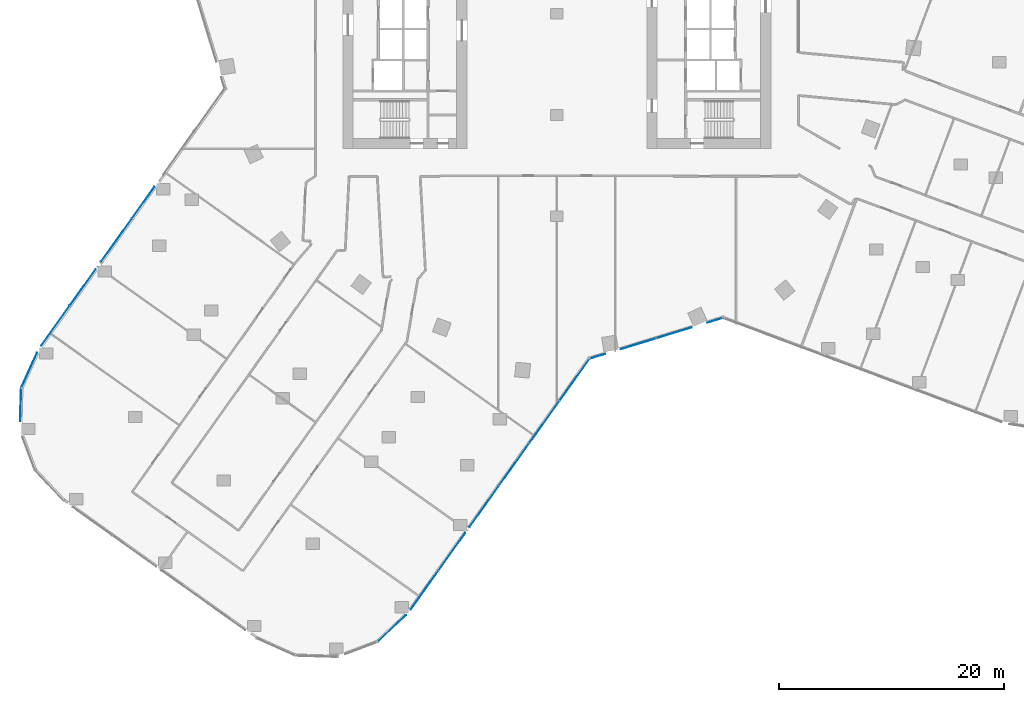
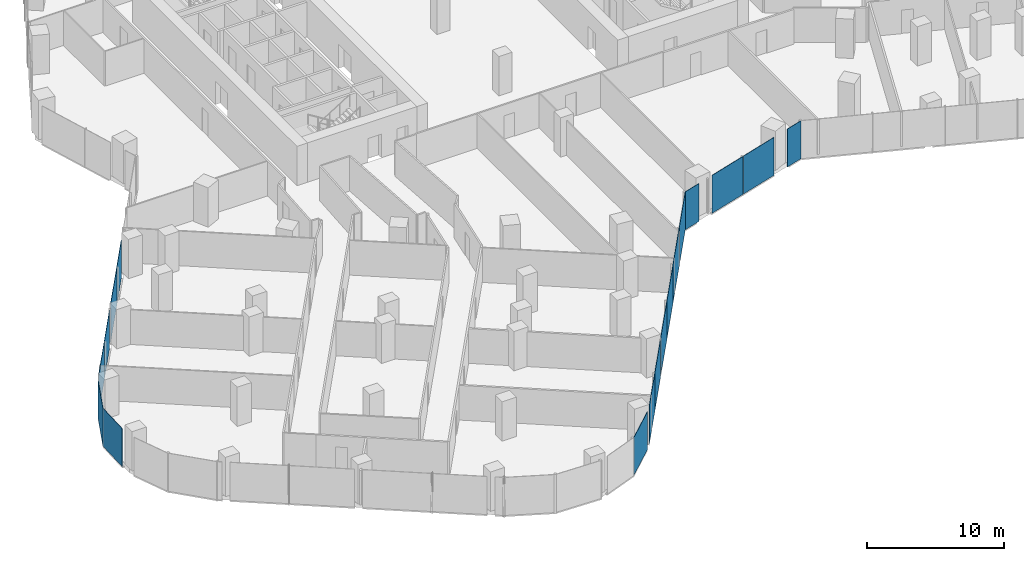
# One storey, part 17 of 31: 17 plates, 6 elements without a shape of their own.
"""IFC4 building model written with IfcOpenShell, lengths in metres."""

from ifc_helpers import new_model, si_unit, direction, frame, origin, origin_2d, place, context, subcontext, project, spatial, rectangle, extrude, material, layer, layer_set, type_object, element, aggregate, save


model = new_model("IFC4")

# Units and contexts
model_context = context("Model", 3, precision=1e-05, world=origin(), true_north=direction((0.0, 1.0)))
body_context = subcontext(model_context, "Body", "Model", "MODEL_VIEW")
ifc_project = project(units=[si_unit("LENGTHUNIT", "METRE"), si_unit("AREAUNIT", "SQUARE_METRE"), si_unit("VOLUMEUNIT", "CUBIC_METRE"), si_unit("PLANEANGLEUNIT", "RADIAN"), si_unit("MASSUNIT", "GRAM", prefix="KILO")], contexts=[model_context])

# Site, building, storey
site_placement = place(None, origin())
site = spatial("IfcSite", under=ifc_project, at=site_placement, CompositionType="ELEMENT")
building_placement = place(site_placement, origin())
building = spatial("IfcBuilding", under=site, at=building_placement, Name="Orlundy Tower", CompositionType="ELEMENT")
storey_placement = place(building_placement, frame((0.0, 0.0, 87.699951171875)))
storey = spatial("IfcBuildingStorey", under=building, at=storey_placement, Name="L21", CompositionType="ELEMENT", Elevation=87.699951171875)

# Curtain wall, plates
ifc_material_1 = material(Name="Aluminium bronze anodised", Category="aluminium")
curtain_wall_type = type_object("IfcCurtainWallType", Name="CW1 wall", PredefinedType="NOTDEFINED", material=ifc_material_1)
curtain_wall_1_placement = place(storey_placement, origin())
curtain_wall_1 = element("IfcCurtainWall", 1, at=curtain_wall_1_placement, inside=storey, type_object=curtain_wall_type, Name="CW1 run 00", PredefinedType="NOTDEFINED")
ifc_material_2 = material(Name="Tinted glass", Category="glass")
ifc_layer = layer(ifc_material_2, 0.031982421875)
ifc_layer_set = layer_set([ifc_layer], Name="CW1 glass panel 32")
plate_type = type_object("IfcPlateType", Name="CW1 glass panel 32", PredefinedType="CURTAIN_PANEL", material=ifc_layer_set)
plate_1_placement = place(storey_placement, frame((-44.547119140625, -27.729736328125, -0.27978515625), z_axis=(0.0, 0.0, 1.0), x_axis=(0.580700988829, 0.814116921316, 0.0)))
plate_1 = element("IfcPlate", 2, at=plate_1_placement, type_object=plate_type, Name="CW1 panel", PredefinedType="CURTAIN_PANEL", context=body_context, shape_type="SweptSolid", body=[
    extrude(rectangle(XDim=4.3486328125, YDim=0.031982421875, at=origin_2d()), origin(), (0.0, 0.0, 1.0), 3.3798828125),
])
plate_2_placement = place(storey_placement, frame((-42.10986328125, -24.312744140625, -0.27978515625), z_axis=(0.0, 0.0, 1.0), x_axis=(0.580700988829, 0.814116921316, 0.0)))
plate_2 = element("IfcPlate", 3, at=plate_2_placement, type_object=plate_type, Name="CW1 panel", PredefinedType="CURTAIN_PANEL", context=body_context, shape_type="SweptSolid", body=[
    extrude(rectangle(XDim=3.946044921875, YDim=0.031982421875, at=origin_2d()), origin(), (0.0, 0.0, 1.0), 3.3798828125),
])
plate_3_placement = place(storey_placement, frame((-39.127685546875, -20.132080078125, -0.27978515625), z_axis=(0.0, 0.0, 1.0), x_axis=(0.580700988829, 0.814116921316, 0.0)))
plate_3 = element("IfcPlate", 4, at=plate_3_placement, type_object=plate_type, Name="CW1 panel", PredefinedType="CURTAIN_PANEL", context=body_context, shape_type="SweptSolid", body=[
    extrude(rectangle(XDim=4.70556640625, YDim=0.031982421875, at=origin_2d()), origin(), (0.0, 0.0, 1.0), 3.3798828125),
])
plate_4_placement = place(storey_placement, frame((-36.74462890625, -16.791015625, -0.27978515625), z_axis=(0.0, 0.0, 1.0), x_axis=(0.580700988829, 0.814116921316, 0.0)))
plate_4 = element("IfcPlate", 5, at=plate_4_placement, type_object=plate_type, Name="CW1 panel", PredefinedType="CURTAIN_PANEL", context=body_context, shape_type="SweptSolid", body=[
    extrude(rectangle(XDim=3.40185546875, YDim=0.031982421875, at=origin_2d()), origin(), (0.0, 0.0, 1.0), 3.3798828125),
])
aggregate(curtain_wall_1, [plate_1, plate_2, plate_3, plate_4])

curtain_wall_2_placement = place(storey_placement, origin())
curtain_wall_2 = element("IfcCurtainWall", 6, at=curtain_wall_2_placement, inside=storey, type_object=curtain_wall_type, Name="CW1 run 017", PredefinedType="NOTDEFINED")
plate_5_placement = place(storey_placement, frame((14.0458984375, -27.248291015625, -0.27978515625), z_axis=(0.0, 0.0, 1.0), x_axis=(-0.956321102205, -0.292318233228, 0.0)))
plate_5 = element("IfcPlate", 7, at=plate_5_placement, type_object=plate_type, Name="CW1 panel", PredefinedType="CURTAIN_PANEL", context=body_context, shape_type="SweptSolid", body=[
    extrude(rectangle(XDim=1.44482421875, YDim=0.031982421875, at=origin_2d()), origin(), (0.0, 0.0, 1.0), 3.3798828125),
])
plate_6_placement = place(storey_placement, frame((10.412353515625, -28.35888671875, -0.27978515625), z_axis=(0.0, 0.0, 1.0), x_axis=(-0.956321102205, -0.292318233228, 0.0)))
plate_6 = element("IfcPlate", 8, at=plate_6_placement, type_object=plate_type, Name="CW1 panel", PredefinedType="CURTAIN_PANEL", context=body_context, shape_type="SweptSolid", body=[
    extrude(rectangle(XDim=3.281494140625, YDim=0.031982421875, at=origin_2d()), origin(), (0.0, 0.0, 1.0), 3.3798828125),
])
plate_7_placement = place(storey_placement, frame((7.226318359375, -29.332763671875, -0.27978515625), z_axis=(0.0, 0.0, 1.0), x_axis=(-0.956321102205, -0.292318233228, 0.0)))
plate_7 = element("IfcPlate", 9, at=plate_7_placement, type_object=plate_type, Name="CW1 panel", PredefinedType="CURTAIN_PANEL", context=body_context, shape_type="SweptSolid", body=[
    extrude(rectangle(XDim=3.28173828125, YDim=0.031982421875, at=origin_2d()), origin(), (0.0, 0.0, 1.0), 3.3798828125),
])
plate_8_placement = place(storey_placement, frame((3.59326171875, -30.443359375, -0.27978515625), z_axis=(0.0, 0.0, 1.0), x_axis=(-0.956321102205, -0.292318233228, 0.0)))
plate_8 = element("IfcPlate", 10, at=plate_8_placement, type_object=plate_type, Name="CW1 panel", PredefinedType="CURTAIN_PANEL", context=body_context, shape_type="SweptSolid", body=[
    extrude(rectangle(XDim=1.445556640625, YDim=0.031982421875, at=origin_2d()), origin(), (0.0, 0.0, 1.0), 3.3798828125),
])
aggregate(curtain_wall_2, [plate_5, plate_6, plate_7, plate_8])

curtain_wall_3_placement = place(storey_placement, origin())
curtain_wall_3 = element("IfcCurtainWall", 11, at=curtain_wall_3_placement, inside=storey, type_object=curtain_wall_type, Name="CW1 run 018", PredefinedType="NOTDEFINED")
plate_9_placement = place(storey_placement, frame((1.5810546875, -32.5068359375, -0.27978515625), z_axis=(0.0, 0.0, 1.0), x_axis=(-0.580710369629, -0.814110230009, 0.0)))
plate_9 = element("IfcPlate", 12, at=plate_9_placement, type_object=plate_type, Name="CW1 panel", PredefinedType="CURTAIN_PANEL", context=body_context, shape_type="SweptSolid", body=[
    extrude(rectangle(XDim=4.550048828125, YDim=0.031982421875, at=origin_2d()), origin(), (0.0, 0.0, 1.0), 3.3798828125),
])
plate_10_placement = place(storey_placement, frame((-1.09912109375, -36.26416015625, -0.27978515625), z_axis=(0.0, 0.0, 1.0), x_axis=(-0.580710369629, -0.814110230009, 0.0)))
plate_10 = element("IfcPlate", 13, at=plate_10_placement, type_object=plate_type, Name="CW1 panel", PredefinedType="CURTAIN_PANEL", context=body_context, shape_type="SweptSolid", body=[
    extrude(rectangle(XDim=4.580810546875, YDim=0.031982421875, at=origin_2d()), origin(), (0.0, 0.0, 1.0), 3.3798828125),
])
plate_11_placement = place(storey_placement, frame((-3.788330078125, -40.0341796875, -0.27978515625), z_axis=(0.0, 0.0, 1.0), x_axis=(-0.580710369629, -0.814110230009, 0.0)))
plate_11 = element("IfcPlate", 14, at=plate_11_placement, type_object=plate_type, Name="CW1 panel", PredefinedType="CURTAIN_PANEL", context=body_context, shape_type="SweptSolid", body=[
    extrude(rectangle(XDim=4.580810546875, YDim=0.031982421875, at=origin_2d()), origin(), (0.0, 0.0, 1.0), 3.3798828125),
])
plate_12_placement = place(storey_placement, frame((-6.461669921875, -43.781982421875, -0.27978515625), z_axis=(0.0, 0.0, 1.0), x_axis=(-0.580710369629, -0.814110230009, 0.0)))
plate_12 = element("IfcPlate", 15, at=plate_12_placement, type_object=plate_type, Name="CW1 panel", PredefinedType="CURTAIN_PANEL", context=body_context, shape_type="SweptSolid", body=[
    extrude(rectangle(XDim=4.5263671875, YDim=0.031982421875, at=origin_2d()), origin(), (0.0, 0.0, 1.0), 3.3798828125),
])
plate_13_placement = place(storey_placement, frame((-9.317138671875, -47.784912109375, -0.27978515625), z_axis=(0.0, 0.0, 1.0), x_axis=(-0.580710369629, -0.814110230009, 0.0)))
plate_13 = element("IfcPlate", 16, at=plate_13_placement, type_object=plate_type, Name="CW1 panel", PredefinedType="CURTAIN_PANEL", context=body_context, shape_type="SweptSolid", body=[
    extrude(rectangle(XDim=4.063232421875, YDim=0.031982421875, at=origin_2d()), origin(), (0.0, 0.0, 1.0), 3.3798828125),
])
plate_14_placement = place(storey_placement, frame((-11.75439453125, -51.201904296875, -0.27978515625), z_axis=(0.0, 0.0, 1.0), x_axis=(-0.580710369629, -0.814110230009, 0.0)))
plate_14 = element("IfcPlate", 17, at=plate_14_placement, type_object=plate_type, Name="CW1 panel", PredefinedType="CURTAIN_PANEL", context=body_context, shape_type="SweptSolid", body=[
    extrude(rectangle(XDim=4.231201171875, YDim=0.031982421875, at=origin_2d()), origin(), (0.0, 0.0, 1.0), 3.3798828125),
])
aggregate(curtain_wall_3, [plate_9, plate_10, plate_11, plate_12, plate_13, plate_14])

# Curtain wall, plate
curtain_wall_4_placement = place(storey_placement, origin())
curtain_wall_4 = element("IfcCurtainWall", 18, at=curtain_wall_4_placement, inside=storey, type_object=curtain_wall_type, Name="CW1 run 019", PredefinedType="NOTDEFINED")
plate_15_placement = place(storey_placement, frame((-14.67724609375, -54.623291015625, -0.27978515625), z_axis=(0.0, 0.0, 1.0), x_axis=(-0.72823167665, -0.685331033241, 0.0)))
plate_15 = element("IfcPlate", 19, at=plate_15_placement, type_object=plate_type, Name="CW1 panel", PredefinedType="CURTAIN_PANEL", context=body_context, shape_type="SweptSolid", body=[
    extrude(rectangle(XDim=3.479736328125, YDim=0.031982421875, at=origin_2d()), origin(), (0.0, 0.0, 1.0), 3.3798828125),
])
aggregate(curtain_wall_4, [plate_15])

curtain_wall_5_placement = place(storey_placement, origin())
curtain_wall_5 = element("IfcCurtainWall", 20, at=curtain_wall_5_placement, inside=storey, type_object=curtain_wall_type, Name="CW1 run 026", PredefinedType="NOTDEFINED")
plate_16_placement = place(storey_placement, frame((-47.62890625, -34.71923828125, -0.27978515625), z_axis=(0.0, 0.0, 1.0), x_axis=(0.030485149754, 0.999535219812, 0.0)))
plate_16 = element("IfcPlate", 21, at=plate_16_placement, type_object=plate_type, Name="CW1 panel", PredefinedType="CURTAIN_PANEL", context=body_context, shape_type="SweptSolid", body=[
    extrude(rectangle(XDim=2.945068359375, YDim=0.031982421875, at=origin_2d()), origin(), (0.0, 0.0, 1.0), 3.3798828125),
])
aggregate(curtain_wall_5, [plate_16])

curtain_wall_6_placement = place(storey_placement, origin())
curtain_wall_6 = element("IfcCurtainWall", 22, at=curtain_wall_6_placement, inside=storey, type_object=curtain_wall_type, Name="CW1 run 027", PredefinedType="NOTDEFINED")
plate_17_placement = place(storey_placement, frame((-46.87744140625, -31.679931640625, -0.27978515625), z_axis=(0.0, 0.0, 1.0), x_axis=(0.410914311157, 0.911673970719, 0.0)))
plate_17 = element("IfcPlate", 23, at=plate_17_placement, type_object=plate_type, Name="CW1 panel", PredefinedType="CURTAIN_PANEL", context=body_context, shape_type="SweptSolid", body=[
    extrude(rectangle(XDim=3.4384765625, YDim=0.031982421875, at=origin_2d()), origin(), (0.0, 0.0, 1.0), 3.3798828125),
])
aggregate(curtain_wall_6, [plate_17])

save(model, "model.ifc")
